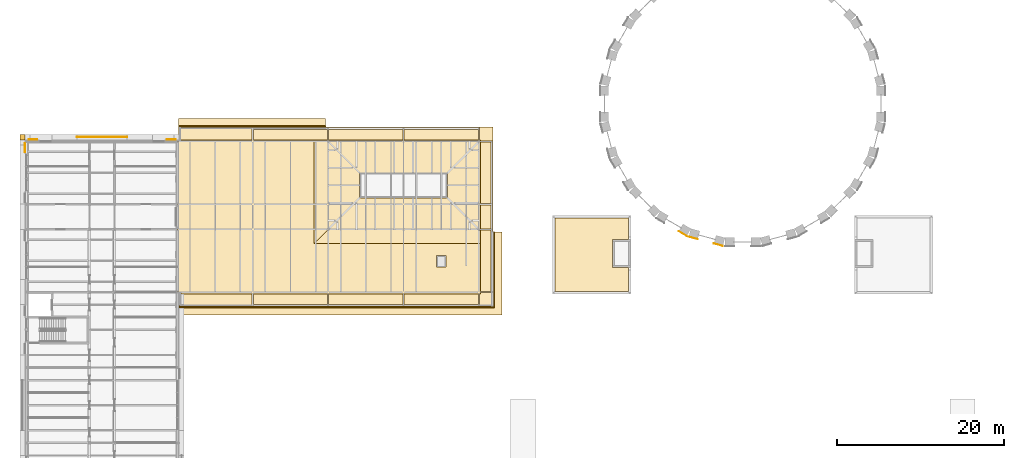
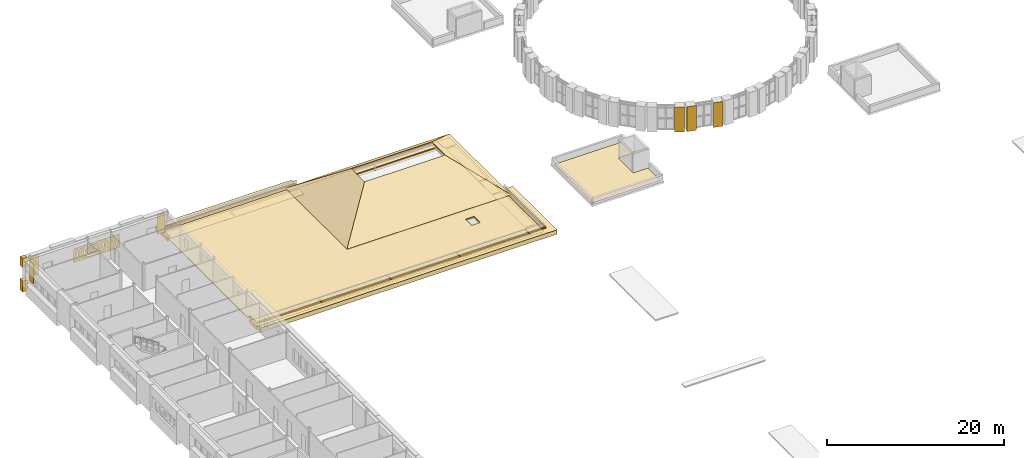
# One storey, part 39 of 42: 29 coverings.
"""IFC4 building model written with IfcOpenShell, lengths in metres."""

from ifc_helpers import new_model, si_unit, direction, frame, origin, origin_2d, place, context, subcontext, project, spatial, polyline, rectangle, outline, extrude, material, layer, layer_set, type_object, element, save


model = new_model("IFC4")

# Units and contexts
model_context = context("Model", 3, precision=1e-05, world=origin(), true_north=direction((0.0, 1.0)))
body_context = subcontext(model_context, "Body", "Model", "MODEL_VIEW")
ifc_project = project(units=[si_unit("LENGTHUNIT", "METRE"), si_unit("AREAUNIT", "SQUARE_METRE"), si_unit("VOLUMEUNIT", "CUBIC_METRE"), si_unit("PLANEANGLEUNIT", "RADIAN"), si_unit("MASSUNIT", "GRAM", prefix="KILO")], contexts=[model_context])

# Site, building, storey
site_placement = place(None, origin())
site = spatial("IfcSite", under=ifc_project, at=site_placement, CompositionType="ELEMENT")
building_placement = place(site_placement, origin())
building = spatial("IfcBuilding", under=site, at=building_placement, Name="Golden Quay Civic Hall", CompositionType="ELEMENT")
storey_placement = place(building_placement, frame((0.0, 0.0, 22.800048828125)))
storey = spatial("IfcBuildingStorey", under=building, at=storey_placement, Name="L05", CompositionType="ELEMENT", Elevation=22.800048828125)

# Coverings
ifc_material_1 = material(Name="Aluminium, anodised", Category="aluminium")
ifc_layer_1 = layer(ifc_material_1, 0.02490234375)
ifc_layer_set_1 = layer_set([ifc_layer_1], Name="Aluminium soffit lining 25")
covering_type_1 = type_object("IfcCoveringType", Name="Aluminium soffit lining 25", PredefinedType="CEILING", material=ifc_layer_set_1)
covering_1_placement = place(storey_placement, frame((0.0, 0.0, -0.275146484375)))
element("IfcCovering", 1, at=covering_1_placement, inside=storey, type_object=covering_type_1, Name="Aluminium soffit lining 25 L05 1", PredefinedType="CEILING", context=body_context, shape_type="SweptSolid", body=[
    extrude(outline(polyline([(54.0673828125, 81.199951171875), (54.0673828125, 82.64990234375), (53.9326171875, 82.64990234375), (45.0673828125, 82.64990234375), (44.9326171875, 82.64990234375), (36.0673828125, 82.64990234375), (35.9326171875, 82.64990234375), (27.0673828125, 82.64990234375), (26.9326171875, 82.64990234375), (26.9326171875, 81.199951171875), (18.199951171875, 81.199951171875), (18.199951171875, 82.699951171875), (54.199951171875, 82.699951171875), (55.699951171875, 82.699951171875), (55.699951171875, 81.199951171875), (55.699951171875, 62.800048828125), (55.699951171875, 61.300048828125), (54.199951171875, 61.300048828125), (18.199951171875, 61.300048828125), (18.199951171875, 62.800048828125), (26.9326171875, 62.800048828125), (26.9326171875, 61.35009765625), (27.0673828125, 61.35009765625), (35.9326171875, 61.35009765625), (36.0673828125, 61.35009765625), (44.9326171875, 61.35009765625), (45.0673828125, 61.35009765625), (53.9326171875, 61.35009765625), (54.0673828125, 61.35009765625), (54.0673828125, 62.800048828125), (54.199951171875, 62.800048828125), (54.199951171875, 62.9326171875), (55.64990234375, 62.9326171875), (55.64990234375, 63.0673828125), (55.64990234375, 70.4326171875), (55.64990234375, 70.5673828125), (55.64990234375, 73.4326171875), (55.64990234375, 73.5673828125), (55.64990234375, 80.9326171875), (55.64990234375, 81.0673828125), (54.199951171875, 81.0673828125), (54.199951171875, 81.199951171875), (54.0673828125, 81.199951171875)])), origin(), (0.0, 0.0, 1.0), 0.025146484375),
])
covering_2_placement = place(storey_placement, frame((0.0, 0.0, -0.275146484375)))
element("IfcCovering", 2, at=covering_2_placement, inside=storey, type_object=covering_type_1, Name="Aluminium soffit lining 25 L05 2", PredefinedType="CEILING", context=body_context, shape_type="SweptSolid", body=[
    extrude(outline(polyline([(45.0673828125, 81.199951171875), (45.0673828125, 82.449951171875), (53.9326171875, 82.449951171875), (53.9326171875, 81.199951171875), (45.0673828125, 81.199951171875)])), origin(), (0.0, 0.0, 1.0), 0.025146484375),
])
covering_3_placement = place(storey_placement, frame((0.0, 0.0, -0.275146484375)))
element("IfcCovering", 3, at=covering_3_placement, inside=storey, type_object=covering_type_1, Name="Aluminium soffit lining 25 L05 3", PredefinedType="CEILING", context=body_context, shape_type="SweptSolid", body=[
    extrude(outline(polyline([(36.0673828125, 81.199951171875), (36.0673828125, 82.449951171875), (44.9326171875, 82.449951171875), (44.9326171875, 81.199951171875), (36.0673828125, 81.199951171875)])), origin(), (0.0, 0.0, 1.0), 0.025146484375),
])
covering_4_placement = place(storey_placement, frame((0.0, 0.0, -0.275146484375)))
element("IfcCovering", 4, at=covering_4_placement, inside=storey, type_object=covering_type_1, Name="Aluminium soffit lining 25 L05 4", PredefinedType="CEILING", context=body_context, shape_type="SweptSolid", body=[
    extrude(outline(polyline([(27.0673828125, 81.199951171875), (27.0673828125, 82.449951171875), (35.9326171875, 82.449951171875), (35.9326171875, 81.199951171875), (27.0673828125, 81.199951171875)])), origin(), (0.0, 0.0, 1.0), 0.025146484375),
])
covering_5_placement = place(storey_placement, frame((0.0, 0.0, -0.275146484375)))
element("IfcCovering", 5, at=covering_5_placement, inside=storey, type_object=covering_type_1, Name="Aluminium soffit lining 25 L05 5", PredefinedType="CEILING", context=body_context, shape_type="SweptSolid", body=[
    extrude(outline(polyline([(35.9326171875, 62.800048828125), (35.9326171875, 61.550048828125), (27.0673828125, 61.550048828125), (27.0673828125, 62.800048828125), (35.9326171875, 62.800048828125)])), origin(), (0.0, 0.0, 1.0), 0.025146484375),
])
covering_6_placement = place(storey_placement, frame((0.0, 0.0, -0.275146484375)))
element("IfcCovering", 6, at=covering_6_placement, inside=storey, type_object=covering_type_1, Name="Aluminium soffit lining 25 L05 6", PredefinedType="CEILING", context=body_context, shape_type="SweptSolid", body=[
    extrude(outline(polyline([(44.9326171875, 62.800048828125), (44.9326171875, 61.550048828125), (36.0673828125, 61.550048828125), (36.0673828125, 62.800048828125), (44.9326171875, 62.800048828125)])), origin(), (0.0, 0.0, 1.0), 0.025146484375),
])
covering_7_placement = place(storey_placement, frame((0.0, 0.0, -0.275146484375)))
element("IfcCovering", 7, at=covering_7_placement, inside=storey, type_object=covering_type_1, Name="Aluminium soffit lining 25 L05 7", PredefinedType="CEILING", context=body_context, shape_type="SweptSolid", body=[
    extrude(outline(polyline([(53.9326171875, 62.800048828125), (53.9326171875, 61.550048828125), (45.0673828125, 61.550048828125), (45.0673828125, 62.800048828125), (53.9326171875, 62.800048828125)])), origin(), (0.0, 0.0, 1.0), 0.025146484375),
])
covering_8_placement = place(storey_placement, frame((0.0, 0.0, -0.275146484375)))
element("IfcCovering", 8, at=covering_8_placement, inside=storey, type_object=covering_type_1, Name="Aluminium soffit lining 25 L05 8", PredefinedType="CEILING", context=body_context, shape_type="SweptSolid", body=[
    extrude(outline(polyline([(54.199951171875, 70.4326171875), (55.449951171875, 70.4326171875), (55.449951171875, 63.0673828125), (54.199951171875, 63.0673828125), (54.199951171875, 70.4326171875)])), origin(), (0.0, 0.0, 1.0), 0.025146484375),
])
covering_9_placement = place(storey_placement, frame((0.0, 0.0, -0.275146484375)))
element("IfcCovering", 9, at=covering_9_placement, inside=storey, type_object=covering_type_1, Name="Aluminium soffit lining 25 L05 9", PredefinedType="CEILING", context=body_context, shape_type="SweptSolid", body=[
    extrude(outline(polyline([(54.199951171875, 73.4326171875), (55.449951171875, 73.4326171875), (55.449951171875, 70.5673828125), (54.199951171875, 70.5673828125), (54.199951171875, 73.4326171875)])), origin(), (0.0, 0.0, 1.0), 0.025146484375),
])
covering_10_placement = place(storey_placement, frame((0.0, 0.0, -0.275146484375)))
element("IfcCovering", 10, at=covering_10_placement, inside=storey, type_object=covering_type_1, Name="Aluminium soffit lining 25 L05 10", PredefinedType="CEILING", context=body_context, shape_type="SweptSolid", body=[
    extrude(outline(polyline([(54.199951171875, 80.9326171875), (55.449951171875, 80.9326171875), (55.449951171875, 73.5673828125), (54.199951171875, 73.5673828125), (54.199951171875, 80.9326171875)])), origin(), (0.0, 0.0, 1.0), 0.025146484375),
])
ifc_material_2 = material(Name="Ceramic tile")
ifc_layer_2 = layer(ifc_material_2, 0.030029296875)
ifc_layer_set_2 = layer_set([ifc_layer_2], Name="Ceramic tile cladding, green glaze")
covering_type_2 = type_object("IfcCoveringType", Name="Ceramic tile cladding, green glaze", PredefinedType="CLADDING", material=ifc_layer_set_2)
for number, where, z_axis, x_axis, name in (
    (11, (78.337646484375, 69.988037109375, 0.300048828125), (0.0, 0.0, 1.0), (0.866025403784, -0.5, 0.0), "Drum cladding 16.2"),
    (12, (79.595947265625, 69.466796875, 0.300048828125), (0.0, 0.0, 1.0), (0.965925826289, -0.258819045103, 0.0), "Drum cladding 17.1"),
    (13, (82.596435546875, 68.662841796875, 0.300048828125), (0.0, 0.0, 1.0), (0.965925826289, -0.258819045103, 0.0), "Drum cladding 17.2"),
):
    element("IfcCovering", number, at=place(storey_placement, frame(where, z_axis=z_axis, x_axis=x_axis)), inside=storey, type_object=covering_type_2, Name=name, PredefinedType="CLADDING", context=body_context, shape_type="SweptSolid", body=[
        extrude(rectangle(XDim=1.1064453125, YDim=0.030029296875, at=origin_2d()), origin(), (0.0, 0.0, 1.0), 3.39990234375),
    ])
ifc_material_3 = material(Name="Ceramic tile")
ifc_layer_3 = layer(ifc_material_3, 0.030029296875)
ifc_layer_set_3 = layer_set([ifc_layer_3], Name="Ceramic tile roofing, green glaze")
covering_type_3 = type_object("IfcCoveringType", Name="Ceramic tile roofing, green glaze", PredefinedType="ROOFING", material=ifc_layer_set_3)
covering_11_placement = place(storey_placement, origin())
element("IfcCovering", 14, at=covering_11_placement, inside=storey, type_object=covering_type_3, Name="Core roof tile covering SW", PredefinedType="ROOFING", context=body_context, shape_type="SweptSolid", body=[
    extrude(outline(polyline([(71.85009765625, 63.10009765625), (63.10009765625, 63.10009765625), (63.10009765625, 71.85009765625), (71.85009765625, 71.85009765625), (71.85009765625, 69.300048828125), (69.949951171875, 69.300048828125), (69.949951171875, 65.949951171875), (71.85009765625, 65.949951171875), (71.85009765625, 63.10009765625)])), origin(), (0.0, 0.0, 1.0), 0.030029296875),
])
ifc_material_4 = material(Name="Clay roof tile")
ifc_layer_4 = layer(ifc_material_4, 0.06005859375)
ifc_layer_set_4 = layer_set([ifc_layer_4], Name="Clay roof tile 60")
covering_type_4 = type_object("IfcCoveringType", Name="Clay roof tile 60", PredefinedType="ROOFING", material=ifc_layer_set_4)
covering_12_placement = place(storey_placement, frame((34.300048828125, 68.800048828125, 0.25), z_axis=(0.0, -0.599994265957, 0.8000043005), x_axis=(1.0, 0.0, 0.0)))
element("IfcCovering", 15, at=covering_12_placement, inside=storey, type_object=covering_type_4, Name="Roof tiles NW-E south", PredefinedType="ROOFING", context=body_context, shape_type="SweptSolid", body=[
    extrude(outline(polyline([(0.0, 0.0), (21.39990234375, 0.0), (15.949951171875, 6.812402343924989), (5.449951171875, 6.812402343924989), (0.0, 0.0)])), origin(), (0.0, 0.0, -1.0), 0.06005859375),
])
covering_13_placement = place(storey_placement, frame((34.300048828125, 82.699951171875, 0.25), z_axis=(0.0, 0.599994265957, 0.8000043005), x_axis=(1.0, 0.0, 0.0)))
element("IfcCovering", 16, at=covering_13_placement, inside=storey, type_object=covering_type_4, Name="Roof tiles NW-E north", PredefinedType="ROOFING", context=body_context, shape_type="SweptSolid", body=[
    extrude(outline(polyline([(0.0, 0.0), (21.39990234375, 0.0), (15.949951171875, -6.812402343924989), (5.449951171875, -6.812402343924989), (0.0, 0.0)])), origin(), (0.0, 0.0, -1.0), 0.06005859375),
])
covering_14_placement = place(storey_placement, frame((34.300048828125, 68.800048828125, 0.25), z_axis=(-0.599994265957, 0.0, 0.8000043005), x_axis=(0.0, 1.0, 0.0)))
element("IfcCovering", 17, at=covering_14_placement, inside=storey, type_object=covering_type_4, Name="Roof tiles NW-E west", PredefinedType="ROOFING", context=body_context, shape_type="SweptSolid", body=[
    extrude(outline(polyline([(0.0, 0.0), (13.89990234375, 0.0), (8.449951171875, -6.812402343924989), (5.449951171875, -6.812402343924989), (0.0, 0.0)])), origin(), (0.0, 0.0, -1.0), 0.06005859375),
])
covering_15_placement = place(storey_placement, frame((55.699951171875, 68.800048828125, 0.25), z_axis=(0.599994265957, 0.0, 0.8000043005), x_axis=(0.0, 1.0, 0.0)))
element("IfcCovering", 18, at=covering_15_placement, inside=storey, type_object=covering_type_4, Name="Roof tiles NW-E east", PredefinedType="ROOFING", context=body_context, shape_type="SweptSolid", body=[
    extrude(outline(polyline([(0.0, 0.0), (13.89990234375, 0.0), (8.449951171875, 6.812402343924989), (5.449951171875, 6.812402343924989), (0.0, 0.0)])), origin(), (0.0, 0.0, -1.0), 0.06005859375),
])
ifc_material_5 = material(Name="Bitumen membrane on rigid insulation")
ifc_layer_5 = layer(ifc_material_5, 0.1201171875)
ifc_layer_set_5 = layer_set([ifc_layer_5], Name="Insulated membrane roofing 120")
covering_type_5 = type_object("IfcCoveringType", Name="Insulated membrane roofing 120", PredefinedType="ROOFING", material=ifc_layer_set_5)
covering_16_placement = place(storey_placement, origin())
element("IfcCovering", 19, at=covering_16_placement, inside=storey, type_object=covering_type_5, Name="Insulated membrane roofing 120 L05 1", PredefinedType="ROOFING", context=body_context, shape_type="SweptSolid", body=[
    extrude(outline(polyline([(18.39990234375, 81.0), (18.39990234375, 82.5), (55.5, 82.5), (55.5, 61.5), (18.39990234375, 61.5), (18.39990234375, 63.0), (18.0, 63.0), (18.0, 81.0), (18.39990234375, 81.0)]), holes=[polyline([(35.699951171875, 81.300048828125), (35.699951171875, 70.199951171875), (54.300048828125, 70.199951171875), (54.300048828125, 81.300048828125), (35.699951171875, 81.300048828125)]), polyline([(50.050048828125, 67.387451171875), (48.949951171875, 67.387451171875), (48.949951171875, 65.987548828125), (50.050048828125, 65.987548828125), (50.050048828125, 67.387451171875)])]), origin(), (0.0, 0.0, 1.0), 0.119873046875),
])
ifc_material_6 = material(Name="Aluminium, golden anodised, perforated", Category="aluminium")
ifc_layer_6 = layer(ifc_material_6, 0.0400390625)
ifc_layer_set_6 = layer_set([ifc_layer_6], Name="Perforated screen panel 6000 x 1880 x 40")
covering_type_6 = type_object("IfcCoveringType", Name="Perforated screen panel 6000 x 1880 x 40", PredefinedType="CLADDING", material=ifc_layer_set_6)
covering_17_placement = place(storey_placement, frame((9.0, 81.5, 1.5400390625), z_axis=(0.0, 1.0, 0.0), x_axis=(-1.0, 0.0, 0.0)))
element("IfcCovering", 20, at=covering_17_placement, inside=storey, type_object=covering_type_6, Name="Perforated screen panel 6000 x 1880 x 40 L05 3", PredefinedType="CLADDING", context=body_context, shape_type="SweptSolid", body=[
    extrude(outline(polyline([(-3.0, -0.93994140625), (3.0, -0.93994140625), (3.0, 0.93994140625), (-3.0, 0.93994140625), (-3.0, -0.93994140625)]), holes=[polyline([(0.25927734375, 0.160888671875), (0.197021484375, 0.140380859375), (0.153076171875, 0.114501953125), (0.136474609375, 0.0986328125), (0.12744140625, 0.083740234375), (0.12841796875, 0.073486328125), (0.135498046875, 0.0625), (0.162841796875, 0.038330078125), (0.212158203125, 0.01318359375), (0.278564453125, -0.00439453125), (0.328125, -0.010009765625), (0.37890625, -0.009521484375), (0.451171875, 0.001708984375), (0.4931640625, 0.015380859375), (0.54052734375, 0.040771484375), (0.56005859375, 0.057373046875), (0.56982421875, 0.0703125), (0.5732421875, 0.0791015625), (0.570556640625, 0.08837890625), (0.55419921875, 0.1083984375), (0.531005859375, 0.125732421875), (0.474609375, 0.151611328125), (0.56494140625, 0.387939453125), (0.635986328125, 0.35693359375), (0.69140625, 0.322509765625), (0.74658203125, 0.2734375), (0.779052734375, 0.232177734375), (0.806884765625, 0.178955078125), (0.822509765625, 0.1240234375), (0.82568359375, 0.064697265625), (0.816162109375, 0.0078125), (0.793701171875, -0.0478515625), (0.764404296875, -0.0927734375), (0.721923828125, -0.1376953125), (0.68310546875, -0.168212890625), (0.626953125, -0.20166015625), (0.554931640625, -0.231201171875), (0.509521484375, -0.244384765625), (0.431640625, -0.258544921875), (0.359130859375, -0.26318359375), (0.279296875, -0.259765625), (0.201171875, -0.246826171875), (0.1552734375, -0.234619140625), (0.08251953125, -0.206298828125), (0.025146484375, -0.174072265625), (-0.03271484375, -0.127685546875), (-0.06689453125, -0.089111328125), (-0.0986328125, -0.037841796875), (-0.1181640625, 0.014892578125), (-0.126220703125, 0.07421875), (-0.12109375, 0.132080078125), (-0.102783203125, 0.18896484375), (-0.076171875, 0.236328125), (-0.037109375, 0.283447265625), (0.00048828125, 0.31640625), (0.0546875, 0.351806640625), (0.125, 0.38427734375), (0.200439453125, 0.40673828125), (0.279296875, 0.419921875), (0.311279296875, 0.1689453125), (0.25927734375, 0.160888671875)]), polyline([(-0.719482421875, 0.27392578125), (-0.741455078125, 0.22998046875), (-0.75732421875, 0.18603515625), (-0.767822265625, 0.142333984375), (-0.772705078125, 0.098876953125), (-0.7724609375, 0.055419921875), (-0.766845703125, 0.011962890625), (-0.755615234375, -0.03173828125), (-0.73876953125, -0.07568359375), (-0.71630859375, -0.11962890625), (-0.6875, -0.16357421875), (-0.652587890625, -0.207275390625), (-0.61181640625, -0.249755859375), (-0.564697265625, -0.291259765625), (-0.511962890625, -0.3310546875), (-0.45361328125, -0.36865234375), (-0.39013671875, -0.404052734375), (-0.32177734375, -0.4365234375), (-0.2490234375, -0.466064453125), (-0.172607421875, -0.4921875), (-0.092529296875, -0.5146484375), (-0.009765625, -0.533447265625), (0.075439453125, -0.54833984375), (0.16259765625, -0.55908203125), (0.250732421875, -0.56591796875), (0.339599609375, -0.568603515625), (0.428466796875, -0.56689453125), (0.516845703125, -0.56103515625), (0.60400390625, -0.55126953125), (0.689697265625, -0.537353515625), (0.773193359375, -0.519287109375), (0.85400390625, -0.497802734375), (0.931396484375, -0.472412109375), (1.0048828125, -0.44384765625), (1.074462890625, -0.411865234375), (1.13916015625, -0.377197265625), (1.19873046875, -0.340087890625), (1.252685546875, -0.30078125), (1.301025390625, -0.259765625), (1.343505859375, -0.21728515625), (1.3798828125, -0.174072265625), (1.409912109375, -0.130126953125), (1.43408203125, -0.0859375), (1.4521484375, -0.0419921875), (1.464599609375, 0.001708984375), (1.4716796875, 0.045166015625), (1.47314453125, 0.088623046875), (1.469482421875, 0.132080078125), (1.46044921875, 0.17578125), (1.44580078125, 0.219482421875), (1.42529296875, 0.263427734375), (1.398681640625, 0.3076171875), (1.3662109375, 0.351318359375), (1.327392578125, 0.394287109375), (1.28271484375, 0.436279296875), (1.23193359375, 0.476806640625), (1.175537109375, 0.51513671875), (1.114013671875, 0.551513671875), (1.04736328125, 0.5849609375), (0.976318359375, 0.615478515625), (0.90087890625, 0.642822265625), (0.822265625, 0.666748046875), (0.740478515625, 0.68701171875), (0.656005859375, 0.703369140625), (0.569580078125, 0.715576171875), (0.481689453125, 0.723876953125), (0.39306640625, 0.72802734375), (0.30419921875, 0.72802734375), (0.215576171875, 0.7236328125), (0.127685546875, 0.71533203125), (0.04150390625, 0.702880859375), (-0.04296875, 0.686279296875), (-0.1279296875, 0.665283203125), (-0.181396484375, 0.8798828125), (0.989013671875, 0.8798828125), (1.07275390625, 0.849365234375), (1.15771484375, 0.8125), (1.238525390625, 0.771484375), (1.314697265625, 0.726318359375), (1.37841796875, 0.682861328125), (1.4443359375, 0.630859375), (1.504150390625, 0.5751953125), (1.55810546875, 0.51611328125), (1.605224609375, 0.45361328125), (1.6455078125, 0.38818359375), (1.677978515625, 0.31982421875), (1.702392578125, 0.2490234375), (1.718505859375, 0.176513671875), (1.725830078125, 0.1025390625), (1.72265625, 0.012939453125), (1.7099609375, -0.060302734375), (1.688720703125, -0.1318359375), (1.6650390625, -0.18896484375), (1.62890625, -0.257080078125), (1.57763671875, -0.331787109375), (1.5263671875, -0.39208984375), (1.46875, -0.44921875), (1.412841796875, -0.49658203125), (1.336181640625, -0.55224609375), (1.26220703125, -0.598388671875), (1.1904296875, -0.63671875), (1.10693359375, -0.67529296875), (1.01318359375, -0.711669921875), (0.9228515625, -0.7412109375), (0.835693359375, -0.764404296875), (0.7333984375, -0.786376953125), (0.6357421875, -0.80224609375), (0.542236328125, -0.812744140625), (0.435791015625, -0.819580078125), (0.341064453125, -0.8212890625), (0.240234375, -0.818603515625), (0.134033203125, -0.810546875), (0.041015625, -0.798828125), (-0.056396484375, -0.781982421875), (-0.151611328125, -0.760498046875), (-0.244384765625, -0.734619140625), (-0.3408203125, -0.70166015625), (-0.420166015625, -0.66943359375), (-0.50244140625, -0.630615234375), (-0.58740234375, -0.58349609375), (-0.653076171875, -0.541015625), (-0.720703125, -0.490234375), (-0.79052734375, -0.4287109375), (-0.839111328125, -0.378173828125), (-0.888671875, -0.31689453125), (-0.93798828125, -0.2412109375), (-0.966796875, -0.18505859375), (-0.994384765625, -0.115234375), (-1.0166015625, -0.0283203125), (-1.024169921875, 0.0302734375), (-1.02587890625, 0.1044921875), (-1.015625, 0.193603515625), (-0.99755859375, 0.265869140625), (-0.9765625, 0.3232421875), (-0.9365234375, 0.40380859375), (-0.894775390625, 0.46875), (-0.853515625, 0.521484375), (-0.654052734375, 0.365966796875), (-0.691650390625, 0.31787109375), (-0.719482421875, 0.27392578125)]), polyline([(-1.37841796875, -0.542236328125), (-1.3076171875, -0.60693359375), (-1.22998046875, -0.669189453125), (-1.145263671875, -0.728515625), (-1.05419921875, -0.78466796875), (-0.956787109375, -0.83740234375), (-0.867919921875, -0.8798828125), (-1.36962890625, -0.8798828125), (-1.46875, -0.802001953125), (-1.55224609375, -0.72607421875), (-1.62841796875, -0.646484375), (-1.696533203125, -0.563232421875), (-1.50048828125, -0.4033203125), (-1.441650390625, -0.4755859375), (-1.37841796875, -0.542236328125)]), polyline([(1.56689453125, -0.8798828125), (1.70361328125, -0.81298828125), (1.7978515625, -0.758544921875), (1.885986328125, -0.70068359375), (1.967529296875, -0.64013671875), (2.0419921875, -0.57666015625), (2.109130859375, -0.510986328125), (2.1689453125, -0.443603515625), (2.220947265625, -0.37451171875), (2.265380859375, -0.304443359375), (2.30224609375, -0.2333984375), (2.331298828125, -0.161865234375), (2.3525390625, -0.090087890625), (2.366455078125, -0.01806640625), (2.372802734375, 0.053955078125), (2.371826171875, 0.126220703125), (2.36328125, 0.1982421875), (2.347412109375, 0.270263671875), (2.323974609375, 0.342041015625), (2.292724609375, 0.413330078125), (2.25390625, 0.484130859375), (2.207275390625, 0.553955078125), (2.153076171875, 0.62255859375), (2.091064453125, 0.689697265625), (2.021728515625, 0.754638671875), (1.9453125, 0.8173828125), (1.857666015625, 0.8798828125), (2.2578125, 0.8798828125), (2.348388671875, 0.783203125), (2.40869140625, 0.706787109375), (2.46728515625, 0.6201171875), (2.51708984375, 0.530029296875), (2.55810546875, 0.437744140625), (2.593017578125, 0.3310546875), (2.61181640625, 0.24658203125), (2.623779296875, 0.149169921875), (2.62548828125, 0.0380859375), (2.6162109375, -0.0595703125), (2.599853515625, -0.14404296875), (2.56787109375, -0.25146484375), (2.529541015625, -0.344482421875), (2.482177734375, -0.43505859375), (2.426025390625, -0.52294921875), (2.36767578125, -0.60009765625), (2.29541015625, -0.68212890625), (2.215576171875, -0.7607421875), (2.12841796875, -0.835205078125), (2.06884765625, -0.8798828125), (1.56689453125, -0.8798828125)]), polyline([(-1.1572265625, 0.8798828125), (-1.252197265625, 0.81201171875), (-1.328125, 0.7490234375), (-1.396728515625, 0.683837890625), (-1.4580078125, 0.61669921875), (-1.51171875, 0.548095703125), (-1.5576171875, 0.47802734375), (-1.595703125, 0.4072265625), (-1.628662109375, 0.330078125), (-1.861083984375, 0.429443359375), (-1.821044921875, 0.522216796875), (-1.77197265625, 0.6123046875), (-1.72021484375, 0.691162109375), (-1.648193359375, 0.783447265625), (-1.5576171875, 0.8798828125), (-1.1572265625, 0.8798828125)]), polyline([(2.832763671875, -0.8466796875), (2.913818359375, -0.762939453125), (2.93994140625, -0.732177734375), (2.93994140625, -0.8798828125), (2.79638671875, -0.8798828125), (2.832763671875, -0.8466796875)]), polyline([(-2.285400390625, 0.8388671875), (-2.3505859375, 0.751220703125), (-2.4072265625, 0.662109375), (-2.455810546875, 0.572021484375), (-2.495849609375, 0.480712890625), (-2.527587890625, 0.388671875), (-2.551025390625, 0.29638671875), (-2.566162109375, 0.20361328125), (-2.572998046875, 0.110595703125), (-2.571533203125, 0.017578125), (-2.56201171875, -0.0751953125), (-2.5439453125, -0.16796875), (-2.517578125, -0.26025390625), (-2.48291015625, -0.351806640625), (-2.440185546875, -0.44287109375), (-2.388916015625, -0.53271484375), (-2.3291015625, -0.621337890625), (-2.261474609375, -0.70849609375), (-2.185546875, -0.79345703125), (-2.097412109375, -0.8798828125), (-2.447265625, -0.8798828125), (-2.53662109375, -0.76611328125), (-2.606201171875, -0.662109375), (-2.666748046875, -0.555419921875), (-2.718017578125, -0.44580078125), (-2.759521484375, -0.33447265625), (-2.791259765625, -0.22119140625), (-2.81298828125, -0.10693359375), (-2.824462890625, 0.00830078125), (-2.82568359375, 0.12353515625), (-2.816650390625, 0.23876953125), (-2.7998046875, 0.34228515625), (-2.771484375, 0.4560546875), (-2.733154296875, 0.568115234375), (-2.685302734375, 0.67822265625), (-2.627685546875, 0.785888671875), (-2.568359375, 0.8798828125), (-2.25048828125, 0.8798828125), (-2.285400390625, 0.8388671875)])]), origin(), (0.0, 0.0, 1.0), 0.0400390625),
])
ifc_material_7 = material(Name="Stone, buff limestone", Category="masonry")
covering_type_7 = type_object("IfcCoveringType", Name="Stone cornice moulding 900 x 600", PredefinedType="MOLDING", material=ifc_material_7)
covering_18_placement = place(storey_placement, frame((0.0, 0.0, -0.35009765625)))
element("IfcCovering", 21, at=covering_18_placement, inside=storey, type_object=covering_type_7, Name="Stone cornice moulding 900 x 600 L05 1", PredefinedType="MOLDING", context=body_context, shape_type="SweptSolid", body=[
    extrude(outline(polyline([(56.75, 60.25), (18.139892578125, 60.25), (18.139892578125, 61.14990234375), (55.85009765625, 61.14990234375), (55.85009765625, 70.199951171875), (56.75, 70.199951171875), (56.75, 60.25)])), origin(), (0.0, 0.0, 1.0), 0.60009765625),
])
covering_19_placement = place(storey_placement, frame((0.0, 0.0, -0.35009765625)))
element("IfcCovering", 22, at=covering_19_placement, inside=storey, type_object=covering_type_7, Name="Stone cornice moulding 900 x 600 L05 2", PredefinedType="MOLDING", context=body_context, shape_type="SweptSolid", body=[
    extrude(outline(polyline([(18.139892578125, 82.85009765625), (18.139892578125, 83.75), (35.699951171875, 83.75), (35.699951171875, 82.85009765625), (18.139892578125, 82.85009765625)])), origin(), (0.0, 0.0, 1.0), 0.60009765625),
])
ifc_material_8 = material(Name="Terracotta cladding, golden glaze", Category="masonry")
covering_type_8 = type_object("IfcCoveringType", Name="Terracotta eave fascia 150 x 1000", PredefinedType="CLADDING", material=ifc_material_8)
covering_20_placement = place(storey_placement, frame((0.0, 0.0, -0.60009765625)))
element("IfcCovering", 23, at=covering_20_placement, inside=storey, type_object=covering_type_8, Name="Terracotta eave fascia 150 x 1000 L05 1", PredefinedType="CLADDING", context=body_context, shape_type="SweptSolid", body=[
    extrude(outline(polyline([(55.85009765625, 61.14990234375), (18.139892578125, 61.14990234375), (18.139892578125, 62.800048828125), (18.199951171875, 62.800048828125), (18.199951171875, 61.300048828125), (54.199951171875, 61.300048828125), (55.699951171875, 61.300048828125), (55.699951171875, 62.800048828125), (55.699951171875, 70.199951171875), (55.85009765625, 70.199951171875), (55.85009765625, 61.14990234375)])), origin(), (0.0, 0.0, 1.0), 1.0),
])
covering_21_placement = place(storey_placement, frame((0.0, 0.0, -0.60009765625)))
element("IfcCovering", 24, at=covering_21_placement, inside=storey, type_object=covering_type_8, Name="Terracotta eave fascia 150 x 1000 L05 2", PredefinedType="CLADDING", context=body_context, shape_type="SweptSolid", body=[
    extrude(outline(polyline([(18.199951171875, 82.699951171875), (18.199951171875, 81.199951171875), (18.139892578125, 81.199951171875), (18.139892578125, 82.85009765625), (35.699951171875, 82.85009765625), (35.699951171875, 82.699951171875), (18.199951171875, 82.699951171875)])), origin(), (0.0, 0.0, 1.0), 1.0),
])
ifc_material_9 = material(Name="Terracotta cladding, golden glaze", Category="masonry")
ifc_layer_7 = layer(ifc_material_9, 0.050048828125)
ifc_layer_set_7 = layer_set([ifc_layer_7], Name="Terracotta solid panel 1050 x 2700 x 50")
covering_type_9 = type_object("IfcCoveringType", Name="Terracotta solid panel 1050 x 2700 x 50", PredefinedType="CLADDING", material=ifc_layer_set_7)
covering_22_placement = place(storey_placement, frame((0.0, 0.0, 0.89990234375)))
element("IfcCovering", 25, at=covering_22_placement, inside=storey, type_object=covering_type_9, Name="Terracotta solid panel 1050 x 2700 x 50 L05 8", PredefinedType="CLADDING", context=body_context, shape_type="SweptSolid", body=[
    extrude(outline(polyline([(-0.199951171875, 79.72509765625), (-0.199951171875, 80.77490234375), (-0.25, 80.77490234375), (-0.25, 79.72509765625), (-0.199951171875, 79.72509765625)])), origin(), (0.0, 0.0, 1.0), 2.699951171875),
])
covering_23_placement = place(storey_placement, frame((0.0, 0.0, 0.89990234375)))
element("IfcCovering", 26, at=covering_23_placement, inside=storey, type_object=covering_type_9, Name="Terracotta solid panel 1050 x 2700 x 50 L05 9", PredefinedType="CLADDING", context=body_context, shape_type="SweptSolid", body=[
    extrude(outline(polyline([(0.22509765625, 81.199951171875), (1.27490234375, 81.199951171875), (1.27490234375, 81.25), (0.22509765625, 81.25), (0.22509765625, 81.199951171875)])), origin(), (0.0, 0.0, 1.0), 2.699951171875),
])
covering_24_placement = place(storey_placement, frame((0.0, 0.0, 0.89990234375)))
element("IfcCovering", 27, at=covering_24_placement, inside=storey, type_object=covering_type_9, Name="Terracotta solid panel 1050 x 2700 x 50 L05 10", PredefinedType="CLADDING", context=body_context, shape_type="SweptSolid", body=[
    extrude(outline(polyline([(16.72509765625, 81.199951171875), (17.77490234375, 81.199951171875), (17.77490234375, 81.25), (16.72509765625, 81.25), (16.72509765625, 81.199951171875)])), origin(), (0.0, 0.0, 1.0), 2.699951171875),
])
ifc_material_10 = material(Name="Terracotta cladding, golden glaze", Category="masonry")
covering_type_10 = type_object("IfcCoveringType", Name="Terracotta spandrel fascia 600 x 1200", PredefinedType="CLADDING", material=ifc_material_10)
covering_25_placement = place(storey_placement, frame((0.0, 0.0, 2.47998046875)))
element("IfcCovering", 28, at=covering_25_placement, inside=storey, type_object=covering_type_10, Name="Terracotta spandrel fascia 600 x 1200 L05 1", PredefinedType="CLADDING", context=body_context, shape_type="SweptSolid", body=[
    extrude(outline(polyline([(-0.800048828125, 81.199951171875), (-0.800048828125, 81.800048828125), (-0.199951171875, 81.800048828125), (-0.199951171875, 81.199951171875), (-0.800048828125, 81.199951171875)])), origin(), (0.0, 0.0, 1.0), 1.199951171875),
])
ifc_material_11 = material(Name="Terracotta cladding, golden glaze", Category="masonry")
covering_type_11 = type_object("IfcCoveringType", Name="Terracotta spandrel fascia 600 x 1500", PredefinedType="CLADDING", material=ifc_material_11)
covering_26_placement = place(storey_placement, frame((0.0, 0.0, -0.900146484375)))
element("IfcCovering", 29, at=covering_26_placement, inside=storey, type_object=covering_type_11, Name="Terracotta spandrel fascia 600 x 1500 L05 1", PredefinedType="CLADDING", context=body_context, shape_type="SweptSolid", body=[
    extrude(outline(polyline([(-0.800048828125, 81.199951171875), (-0.800048828125, 81.800048828125), (-0.199951171875, 81.800048828125), (-0.199951171875, 81.199951171875), (-0.800048828125, 81.199951171875)])), origin(), (0.0, 0.0, 1.0), 1.5),
])

save(model, "model.ifc")
